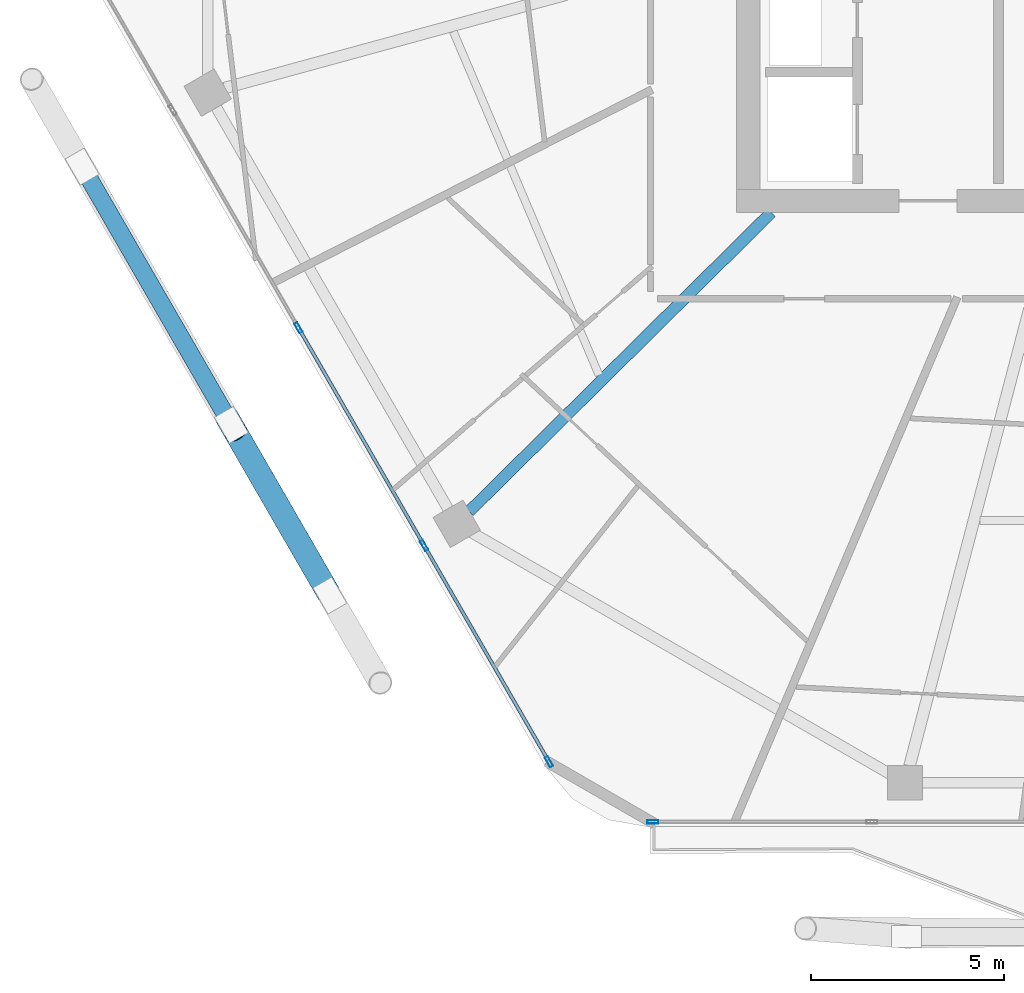
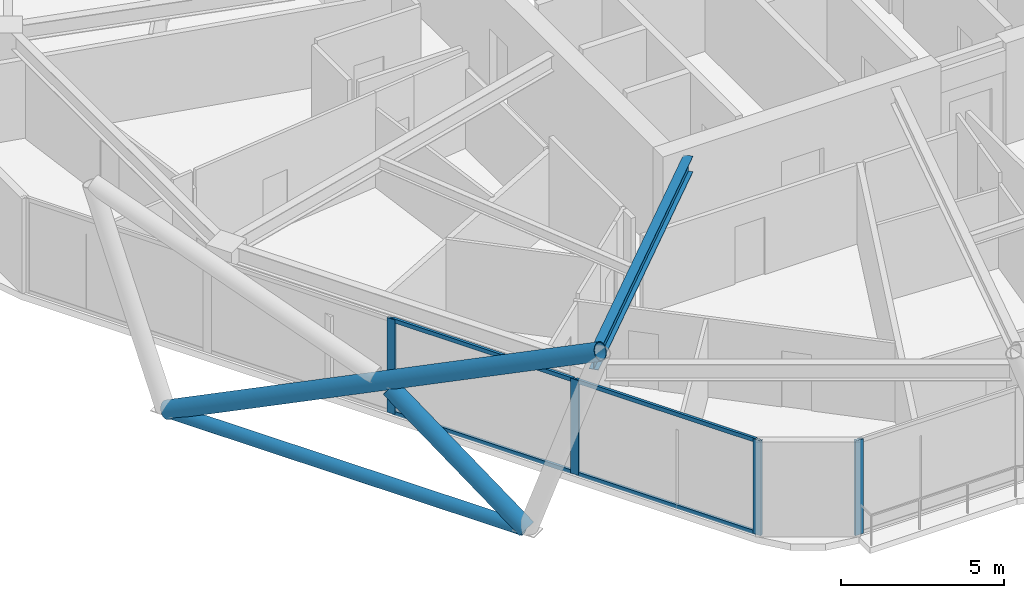
# One storey, part 2 of 28: 11 members, 1 beam, 2 elements without a shape of their own.
"""IFC4 building model written with IfcOpenShell, lengths in metres."""

from ifc_helpers import new_model, si_unit, direction, frame, origin, origin_2d, place, context, subcontext, project, spatial, hollow_rectangle, hollow_circle, i_section, extrude, material, material_profile, profile_set, type_object, element, aggregate, save


model = new_model("IFC4")

# Units and contexts
model_context = context("Model", 3, precision=1e-05, world=origin(), true_north=direction((0.0, 1.0)))
body_context = subcontext(model_context, "Body", "Model", "MODEL_VIEW")
ifc_project = project(units=[si_unit("LENGTHUNIT", "METRE"), si_unit("AREAUNIT", "SQUARE_METRE"), si_unit("VOLUMEUNIT", "CUBIC_METRE"), si_unit("PLANEANGLEUNIT", "RADIAN"), si_unit("MASSUNIT", "GRAM", prefix="KILO")], contexts=[model_context])

# Site, building, storey
site_placement = place(None, origin())
site = spatial("IfcSite", under=ifc_project, at=site_placement, CompositionType="ELEMENT")
building_placement = place(site_placement, origin())
building = spatial("IfcBuilding", under=site, at=building_placement, Name="Zuhravey Tower", CompositionType="ELEMENT")
storey_placement = place(building_placement, frame((0.0, 0.0, 254.0)))
storey = spatial("IfcBuildingStorey", under=building, at=storey_placement, Name="L64", CompositionType="ELEMENT", Elevation=254.0)

# Curtain wall, member
ifc_material_1 = material(Name="Thermally broken anodised aluminium", Category="aluminium")
curtain_wall_type = type_object("IfcCurtainWallType", Name="Zone 3-4 High-Rise Curtain Wall CW4", PredefinedType="NOTDEFINED", material=ifc_material_1)
curtain_wall_1_placement = place(storey_placement, origin())
curtain_wall_1 = element("IfcCurtainWall", 1, at=curtain_wall_1_placement, inside=storey, type_object=curtain_wall_type, Name="L64 CW4 CW-L64-F5-2", PredefinedType="NOTDEFINED")
ifc_material_2 = material(Name="Anodised aluminium", Category="aluminium")
ifc_material_profile_1 = material_profile(ifc_material_2, hollow_rectangle(XDim=0.090087890625, YDim=0.284912109375, WallThickness=0.0048828125, at=origin_2d()), Name="ALU-RHS-90x285x5")
ifc_profile_set_1 = profile_set([ifc_material_profile_1], Name="Anodised aluminium")
member_type_1 = type_object("IfcMemberType", Name="Curtain-Wall Mullion 90x180", PredefinedType="MULLION", material=ifc_profile_set_1)
member_1_placement = place(storey_placement, frame((23.0322265625, 6.436279296875, 0.0), z_axis=(0.0, 0.0, 1.0), x_axis=(0.0, -1.0, 0.0)))
member_1 = element("IfcMember", 2, at=member_1_placement, type_object=member_type_1, Name="CW4 mullion 3", PredefinedType="MULLION", context=body_context, shape_type="SweptSolid", body=[
    extrude(hollow_rectangle(XDim=0.090087890625, YDim=0.284912109375, WallThickness=0.0048828125, at=origin_2d()), origin(), (0.0, 0.0, 1.0), 3.550048828125),
])
aggregate(curtain_wall_1, [member_1])

# Curtain wall, members
curtain_wall_2_placement = place(storey_placement, origin())
curtain_wall_2 = element("IfcCurtainWall", 3, at=curtain_wall_2_placement, inside=storey, type_object=curtain_wall_type, Name="L64 CW4 CW-L64-F4-1", PredefinedType="NOTDEFINED")
member_2_placement = place(storey_placement, frame((20.34521484375, 7.98779296875, 0.0), z_axis=(0.0, 0.0, 1.0), x_axis=(-0.866024851021, -0.500000957414, 0.0)))
member_2 = element("IfcMember", 4, at=member_2_placement, type_object=member_type_1, Name="CW4 mullion 1", PredefinedType="MULLION", context=body_context, shape_type="SweptSolid", body=[
    extrude(hollow_rectangle(XDim=0.090087890625, YDim=0.284912109375, WallThickness=0.0048828125, at=origin_2d()), origin(), (0.0, 0.0, 1.0), 3.550048828125),
])
member_3_placement = place(storey_placement, frame((17.114501953125, 13.58349609375, 0.0), z_axis=(0.0, 0.0, 1.0), x_axis=(-0.866024851021, -0.500000957414, 0.0)))
member_3 = element("IfcMember", 5, at=member_3_placement, type_object=member_type_1, Name="CW4 mullion 2", PredefinedType="MULLION", context=body_context, shape_type="SweptSolid", body=[
    extrude(hollow_rectangle(XDim=0.090087890625, YDim=0.284912109375, WallThickness=0.0048828125, at=origin_2d()), origin(), (0.0, 0.0, 1.0), 3.550048828125),
])
member_4_placement = place(storey_placement, frame((13.861328125, 19.21826171875, 0.0), z_axis=(0.0, 0.0, 1.0), x_axis=(-0.866024851021, -0.500000957414, 0.0)))
member_4 = element("IfcMember", 6, at=member_4_placement, type_object=member_type_1, Name="CW4 mullion 3", PredefinedType="MULLION", context=body_context, shape_type="SweptSolid", body=[
    extrude(hollow_rectangle(XDim=0.090087890625, YDim=0.284912109375, WallThickness=0.0048828125, at=origin_2d()), origin(), (0.0, 0.0, 1.0), 3.550048828125),
])
ifc_material_profile_2 = material_profile(ifc_material_2, hollow_rectangle(XDim=0.090087890625, YDim=0.14990234375, WallThickness=0.0048828125, at=origin_2d()), Name="ALU-RHS-90x150x5")
ifc_profile_set_2 = profile_set([ifc_material_profile_2], Name="Anodised aluminium")
member_type_2 = type_object("IfcMemberType", Name="Curtain-Wall Transom 90x150", PredefinedType="USERDEFINED", material=ifc_profile_set_2)
member_5_placement = place(storey_placement, frame((20.322509765625, 8.02685546875, 0.044921875), z_axis=(-0.499980071345, 0.866036909293, 0.0), x_axis=(-0.866036909293, -0.499980071345, 0.0)))
member_5 = element("IfcMember", 7, at=member_5_placement, type_object=member_type_2, Name="CW4 transom 1.1", ObjectType="TRANSOM", PredefinedType="USERDEFINED", context=body_context, shape_type="SweptSolid", body=[
    extrude(hollow_rectangle(XDim=0.090087890625, YDim=0.14990234375, WallThickness=0.0048828125, at=origin_2d()), origin(), (0.0, 0.0, 1.0), 6.371337890625),
])
member_6_placement = place(storey_placement, frame((20.322509765625, 8.02685546875, 3.5048828125), z_axis=(-0.499980071345, 0.866036909293, 0.0), x_axis=(-0.866036909293, -0.499980071345, 0.0)))
member_6 = element("IfcMember", 8, at=member_6_placement, type_object=member_type_2, Name="CW4 transom 1.2", ObjectType="TRANSOM", PredefinedType="USERDEFINED", context=body_context, shape_type="SweptSolid", body=[
    extrude(hollow_rectangle(XDim=0.090087890625, YDim=0.14990234375, WallThickness=0.0048828125, at=origin_2d()), origin(), (0.0, 0.0, 1.0), 6.371337890625),
])
member_7_placement = place(storey_placement, frame((17.092041015625, 13.62255859375, 0.044921875), z_axis=(-0.500014493347, 0.866017035885, 0.0), x_axis=(-0.866017035885, -0.500014493347, 0.0)))
member_7 = element("IfcMember", 9, at=member_7_placement, type_object=member_type_2, Name="CW4 transom 2.1", ObjectType="TRANSOM", PredefinedType="USERDEFINED", context=body_context, shape_type="SweptSolid", body=[
    extrude(hollow_rectangle(XDim=0.090087890625, YDim=0.14990234375, WallThickness=0.0048828125, at=origin_2d()), origin(), (0.0, 0.0, 1.0), 6.416259765625),
])
member_8_placement = place(storey_placement, frame((17.092041015625, 13.62255859375, 3.5048828125), z_axis=(-0.500014493347, 0.866017035885, 0.0), x_axis=(-0.866017035885, -0.500014493347, 0.0)))
member_8 = element("IfcMember", 10, at=member_8_placement, type_object=member_type_2, Name="CW4 transom 2.2", ObjectType="TRANSOM", PredefinedType="USERDEFINED", context=body_context, shape_type="SweptSolid", body=[
    extrude(hollow_rectangle(XDim=0.090087890625, YDim=0.14990234375, WallThickness=0.0048828125, at=origin_2d()), origin(), (0.0, 0.0, 1.0), 6.416259765625),
])
aggregate(curtain_wall_2, [member_2, member_3, member_4, member_5, member_6, member_7, member_8])

# Members
ifc_material_3 = material(Name="Steel SM355", Category="steel")
ifc_material_profile_3 = material_profile(ifc_material_3, hollow_circle(Radius=0.228515625, WallThickness=0.02197265625, at=origin_2d()), Name="CHS-457.2x22")
ifc_profile_set_3 = profile_set([ifc_material_profile_3], Name="Steel SM355")
member_type_3 = type_object("IfcMemberType", Name="Exoskeleton Ring Tie CHS457x22", PredefinedType="CHORD", material=ifc_profile_set_3)
member_9_placement = place(storey_placement, frame((8.337158203125, 23.26611328125, -0.464111328125), z_axis=(0.50000793057, -0.866020825019, 0.0), x_axis=(0.866020825019, 0.50000793057, 0.0)))
element("IfcMember", 11, at=member_9_placement, inside=storey, type_object=member_type_3, Name="L64 Exoskeleton Face 4 Tie EXR1", PredefinedType="CHORD", context=body_context, shape_type="SweptSolid", body=[
    extrude(hollow_circle(Radius=0.228515625, WallThickness=0.02197265625, at=origin_2d()), origin(), (0.0, 0.0, 1.0), 12.535400390625),
])
ifc_material_profile_4 = material_profile(ifc_material_3, hollow_circle(Radius=0.3046875, WallThickness=0.028076171875, at=origin_2d()), Name="CHS-609.6x28")
ifc_profile_set_4 = profile_set([ifc_material_profile_4], Name="Steel SM355")
member_type_4 = type_object("IfcMemberType", Name="Exoskeleton Zone 3 Diagrid CHS610x28", PredefinedType="BRACE", material=ifc_profile_set_4)
member_10_placement = place(storey_placement, frame((8.285400390625, 23.355712890625, -0.446044921875), z_axis=(0.44858715889, -0.776961798354, 0.441701171357), x_axis=(0.866021515814, 0.500006734102, 0.0)))
element("IfcMember", 12, at=member_10_placement, inside=storey, type_object=member_type_4, Name="L64 Face 4 Diagrid Brace 2", PredefinedType="BRACE", context=body_context, shape_type="SweptSolid", body=[
    extrude(hollow_circle(Radius=0.3046875, WallThickness=0.028076171875, at=origin_2d()), origin(), (0.0, 0.0, 1.0), 17.12451171875),
])
member_11_placement = place(storey_placement, frame((14.658447265625, 12.3173828125, -0.439697265625), z_axis=(-0.400847383704, 0.694296697272, 0.597723574183), x_axis=(-0.866028105091, -0.49999532117, 0.0)))
element("IfcMember", 13, at=member_11_placement, inside=storey, type_object=member_type_4, Name="L64 Face 4 Split Diagrid Brace 3A", PredefinedType="BRACE", context=body_context, shape_type="SweptSolid", body=[
    extrude(hollow_circle(Radius=0.3046875, WallThickness=0.028076171875, at=origin_2d()), origin(), (0.0, 0.0, 1.0), 6.021728515625),
])

# Beam
ifc_material_profile_5 = material_profile(ifc_material_3, i_section(OverallWidth=0.300048828125, OverallDepth=0.60009765625, WebThickness=0.011962890625, FlangeThickness=0.02001953125, at=origin_2d()), Name="H-600x300x12x20")
ifc_profile_set_5 = profile_set([ifc_material_profile_5], Name="Steel SM355")
beam_type = type_object("IfcBeamType", Name="Radial Primary Girder H600x300", PredefinedType="BEAM", material=ifc_profile_set_5)
beam_placement = place(storey_placement, frame((26.09326171875, 22.197021484375, 3.25), z_axis=(-0.710816516282, -0.703377480576, 0.0), x_axis=(0.703377480576, -0.710816516282, 0.0)))
element("IfcBeam", 14, at=beam_placement, inside=storey, type_object=beam_type, Name="L64 RG3 BM-L64-RAD-08", PredefinedType="BEAM", context=body_context, shape_type="SweptSolid", body=[
    extrude(i_section(OverallWidth=0.300048828125, OverallDepth=0.60009765625, WebThickness=0.011962890625, FlangeThickness=0.02001953125, at=origin_2d()), origin(), (0.0, 0.0, 1.0), 10.994384765625),
])

save(model, "model.ifc")
